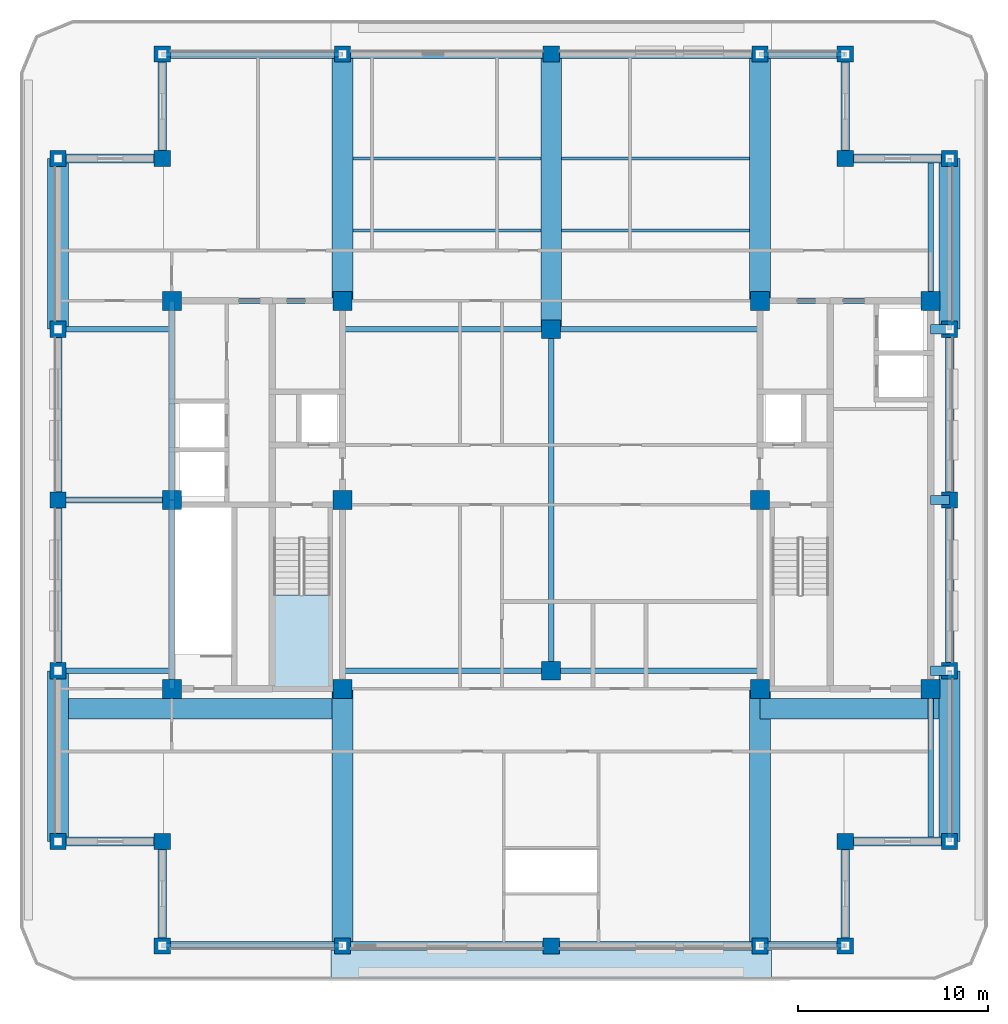
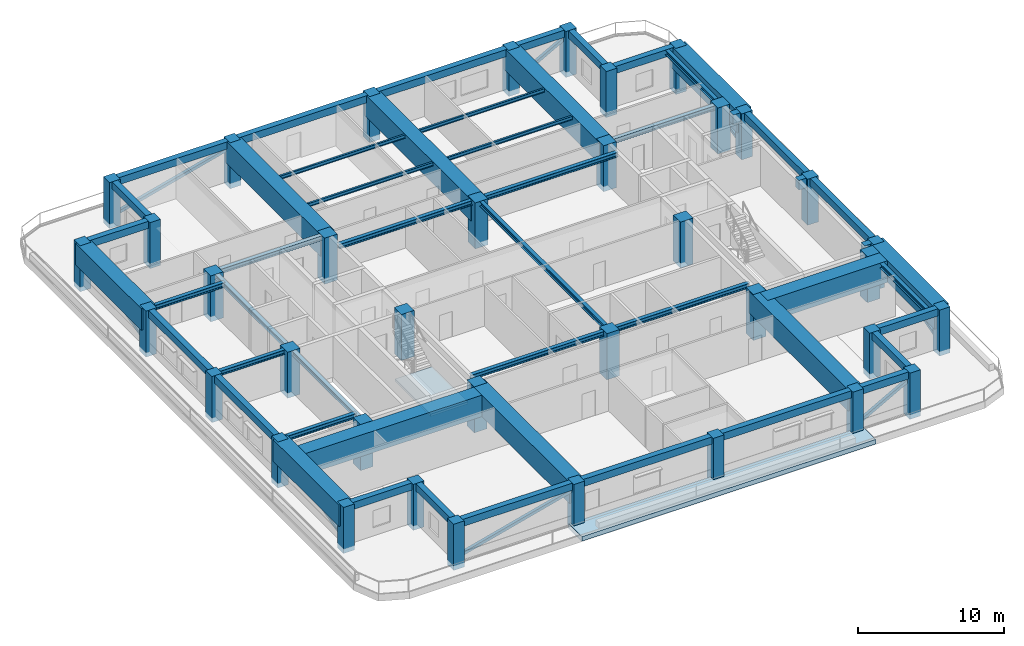
# One storey, part 1 of 11: 52 beams, 37 columns, 8 members, 2 slabs, 1 element without a shape of its own.
"""IFC4 building model written with IfcOpenShell, lengths in metres."""

from ifc_helpers import new_model, si_unit, direction, frame, origin, origin_2d, place, context, subcontext, project, spatial, polyline, rectangle, hollow_rectangle, i_section, outline, extrude, material, layer, layer_set, material_profile, profile_set, type_object, element, aggregate, save


model = new_model("IFC4")

# Units and contexts
model_context = context("Model", 3, precision=1e-05, world=origin(), true_north=direction((0.0, 1.0)))
body_context = subcontext(model_context, "Body", "Model", "MODEL_VIEW")
ifc_project = project(units=[si_unit("LENGTHUNIT", "METRE"), si_unit("AREAUNIT", "SQUARE_METRE"), si_unit("VOLUMEUNIT", "CUBIC_METRE"), si_unit("PLANEANGLEUNIT", "RADIAN"), si_unit("MASSUNIT", "GRAM", prefix="KILO")], contexts=[model_context])

# Site, building, storey
site_placement = place(None, origin())
site = spatial("IfcSite", under=ifc_project, at=site_placement, CompositionType="ELEMENT")
building_placement = place(site_placement, origin())
building = spatial("IfcBuilding", under=site, at=building_placement, Name="Zulmaris Gate Convention Tower", CompositionType="ELEMENT")
storey_placement = place(building_placement, frame((0.0, 0.0, 278.06005859375)))
storey = spatial("IfcBuildingStorey", under=building, at=storey_placement, Name="L74", CompositionType="ELEMENT", Elevation=278.06005859375)

# Columns
ifc_material_1 = material(Name="Concrete C60/75", Category="concrete")
ifc_material_profile_1 = material_profile(ifc_material_1, rectangle(XDim=1.0, YDim=1.0, at=origin_2d()), Name="RC COL 1000x1000")
ifc_profile_set_1 = profile_set([ifc_material_profile_1], Name="Concrete C60/75")
column_type_1 = type_object("IfcColumnType", Name="COL-RC1000", PredefinedType="COLUMN", material=ifc_profile_set_1)
for number, where, z_axis, x_axis, name in (
    (1, (-20.0, -9.949951171875, -0.425048828125), (0.0, 0.0, 1.0), (1.0, 0.0, 0.0), "L74 Column IN--20.00_-9.95"),
    (2, (-20.0, 10.5, -0.425048828125), (0.0, 0.0, 1.0), (1.0, 0.0, 0.0), "L74 Column IN--20.00_+10.50"),
    (3, (-11.0, -9.949951171875, -0.425048828125), (0.0, 0.0, 1.0), (1.0, 0.0, 0.0), "L74 Column IN--11.00_-9.95"),
    (4, (-11.0, 0.0, -0.425048828125), (0.0, 0.0, 1.0), (1.0, 0.0, 0.0), "L74 Column IN--11.00_+0.00"),
    (5, (-11.0, 10.5, -0.425048828125), (0.0, 0.0, 1.0), (1.0, 0.0, 0.0), "L74 Column IN--11.00_+10.50"),
    (6, (11.0, -9.949951171875, -0.425048828125), (0.0, 0.0, 1.0), (1.0, 0.0, 0.0), "L74 Column IN-+11.00_-9.95"),
    (7, (11.0, 0.0, -0.425048828125), (0.0, 0.0, 1.0), (1.0, 0.0, 0.0), "L74 Column IN-+11.00_+0.00"),
    (8, (11.0, 10.5, -0.425048828125), (0.0, 0.0, 1.0), (1.0, 0.0, 0.0), "L74 Column IN-+11.00_+10.50"),
    (9, (20.0, -9.949951171875, -0.425048828125), (0.0, 0.0, 1.0), (1.0, 0.0, 0.0), "L74 Column IN-+20.00_-9.95"),
    (10, (20.0, 10.5, -0.425048828125), (0.0, 0.0, 1.0), (1.0, 0.0, 0.0), "L74 Column IN-+20.00_+10.50"),
    (11, (0.0, -9.0, -0.425048828125), (0.0, 0.0, 1.0), (1.0, 0.0, 0.0), "L74 Column IN-+0.00_-9.00"),
    (12, (0.0, 9.0, -0.425048828125), (0.0, 0.0, 1.0), (1.0, 0.0, 0.0), "L74 Column IN-+0.00_+9.00"),
    (13, (-20.0, 0.0, -0.425048828125), (0.0, 0.0, 1.0), (1.0, 0.0, 0.0), "L74 Column IN--20.00_+0.00"),
):
    element("IfcColumn", number, at=place(storey_placement, frame(where, z_axis=z_axis, x_axis=x_axis)), inside=storey, type_object=column_type_1, Name=name, PredefinedType="COLUMN", context=body_context, shape_type="SweptSolid", body=[
        extrude(rectangle(XDim=1.0, YDim=1.0, at=origin_2d()), origin(), (0.0, 0.0, 1.0), 3.840087890625),
    ])
ifc_material_profile_2 = material_profile(ifc_material_1, rectangle(XDim=0.85009765625, YDim=0.85009765625, at=origin_2d()), Name="RC COL 850x850")
ifc_profile_set_2 = profile_set([ifc_material_profile_2], Name="Concrete C60/75")
column_type_2 = type_object("IfcColumnType", Name="COL-RC850", PredefinedType="COLUMN", material=ifc_profile_set_2)
for number, where, z_axis, x_axis, name in (
    (14, (-20.5, -23.5, -0.425048828125), (0.0, 0.0, 1.0), (1.0, 0.0, 0.0), "L74 Column PT--20.50_-23.50"),
    (15, (-11.0, -23.5, -0.425048828125), (0.0, 0.0, 1.0), (1.0, 0.0, 0.0), "L74 Column PT--11.00_-23.50"),
    (16, (0.0, -23.5, -0.425048828125), (0.0, 0.0, 1.0), (1.0, 0.0, 0.0), "L74 Column PT-+0.00_-23.50"),
    (17, (11.0, -23.5, -0.425048828125), (0.0, 0.0, 1.0), (1.0, 0.0, 0.0), "L74 Column PT-+11.00_-23.50"),
    (18, (15.5, -23.5, -0.425048828125), (0.0, 0.0, 1.0), (1.0, 0.0, 0.0), "L74 Column PT-+15.50_-23.50"),
    (19, (-20.5, 23.5, -0.425048828125), (0.0, 0.0, 1.0), (1.0, 0.0, 0.0), "L74 Column PT--20.50_+23.50"),
    (20, (-11.0, 23.5, -0.425048828125), (0.0, 0.0, 1.0), (1.0, 0.0, 0.0), "L74 Column PT--11.00_+23.50"),
    (21, (0.0, 23.5, -0.425048828125), (0.0, 0.0, 1.0), (1.0, 0.0, 0.0), "L74 Column PT-+0.00_+23.50"),
    (22, (11.0, 23.5, -0.425048828125), (0.0, 0.0, 1.0), (1.0, 0.0, 0.0), "L74 Column PT-+11.00_+23.50"),
    (23, (15.5, 23.5, -0.425048828125), (0.0, 0.0, 1.0), (1.0, 0.0, 0.0), "L74 Column PT-+15.50_+23.50"),
    (24, (-26.0, -18.0, -0.425048828125), (0.0, 0.0, 1.0), (1.0, 0.0, 0.0), "L74 Column PT--26.00_-18.00"),
    (25, (-26.0, -9.0, -0.425048828125), (0.0, 0.0, 1.0), (1.0, 0.0, 0.0), "L74 Column PT--26.00_-9.00"),
    (26, (-26.0, 0.0, -0.425048828125), (0.0, 0.0, 1.0), (1.0, 0.0, 0.0), "L74 Column PT--26.00_+0.00"),
    (27, (-26.0, 9.0, -0.425048828125), (0.0, 0.0, 1.0), (1.0, 0.0, 0.0), "L74 Column PT--26.00_+9.00"),
    (28, (-26.0, 18.0, -0.425048828125), (0.0, 0.0, 1.0), (1.0, 0.0, 0.0), "L74 Column PT--26.00_+18.00"),
    (29, (21.0, -18.0, -0.425048828125), (0.0, 0.0, 1.0), (1.0, 0.0, 0.0), "L74 Column PT-+21.00_-18.00"),
    (30, (21.0, -9.0, -0.425048828125), (0.0, 0.0, 1.0), (1.0, 0.0, 0.0), "L74 Column PT-+21.00_-9.00"),
    (31, (21.0, 0.0, -0.425048828125), (0.0, 0.0, 1.0), (1.0, 0.0, 0.0), "L74 Column PT-+21.00_+0.00"),
    (32, (21.0, 9.0, -0.425048828125), (0.0, 0.0, 1.0), (1.0, 0.0, 0.0), "L74 Column PT-+21.00_+9.00"),
    (33, (21.0, 18.0, -0.425048828125), (0.0, 0.0, 1.0), (1.0, 0.0, 0.0), "L74 Column PT-+21.00_+18.00"),
    (34, (-20.5, -18.0, -0.425048828125), (0.0, 0.0, 1.0), (1.0, 0.0, 0.0), "L74 Column PT--20.50_-18.00"),
    (35, (15.5, -18.0, -0.425048828125), (0.0, 0.0, 1.0), (1.0, 0.0, 0.0), "L74 Column PT-+15.50_-18.00"),
    (36, (15.5, 18.0, -0.425048828125), (0.0, 0.0, 1.0), (1.0, 0.0, 0.0), "L74 Column PT-+15.50_+18.00"),
    (37, (-20.5, 18.0, -0.425048828125), (0.0, 0.0, 1.0), (1.0, 0.0, 0.0), "L74 Column PT--20.50_+18.00"),
):
    element("IfcColumn", number, at=place(storey_placement, frame(where, z_axis=z_axis, x_axis=x_axis)), inside=storey, type_object=column_type_2, Name=name, PredefinedType="COLUMN", context=body_context, shape_type="SweptSolid", body=[
        extrude(rectangle(XDim=0.85009765625, YDim=0.85009765625, at=origin_2d()), origin(), (0.0, 0.0, 1.0), 3.840087890625),
    ])

# Beams
ifc_material_2 = material(Name="Steel S355", Category="steel")
ifc_material_profile_3 = material_profile(ifc_material_2, i_section(OverallWidth=0.300048828125, OverallDepth=0.39990234375, WebThickness=0.013427734375, FlangeThickness=0.02392578125, FilletRadius=0.027099609375, at=origin_2d()), Name="HEB 400")
ifc_profile_set_3 = profile_set([ifc_material_profile_3], Name="Steel S355")
beam_type_1 = type_object("IfcBeamType", Name="BM-HEB400", PredefinedType="BEAM", material=ifc_profile_set_3)
for number, where, z_axis, x_axis, name in (
    (38, (-11.0, -9.0, 3.212890625), (1.0, 0.0, 0.0), (0.0, 1.0, 0.0), "L74 Beam BM-L74-G01"),
    (39, (0.0, -9.0, 3.212890625), (1.0, 0.0, 0.0), (0.0, 1.0, 0.0), "L74 Beam BM-L74-G02"),
    (40, (-11.0, 9.0, 3.212890625), (1.0, 0.0, 0.0), (0.0, 1.0, 0.0), "L74 Beam BM-L74-G03"),
    (41, (0.0, 9.0, 3.212890625), (1.0, 0.0, 0.0), (0.0, 1.0, 0.0), "L74 Beam BM-L74-G04"),
):
    element("IfcBeam", number, at=place(storey_placement, frame(where, z_axis=z_axis, x_axis=x_axis)), inside=storey, type_object=beam_type_1, Name=name, PredefinedType="BEAM", context=body_context, shape_type="SweptSolid", body=[
        extrude(i_section(OverallWidth=0.300048828125, OverallDepth=0.39990234375, WebThickness=0.013427734375, FlangeThickness=0.02392578125, FilletRadius=0.027099609375, at=origin_2d()), origin(), (0.0, 0.0, 1.0), 11.0),
    ])
beam_1_placement = place(storey_placement, frame((0.0, -9.0, 3.212890625), z_axis=(0.0, 1.0, 0.0), x_axis=(-1.0, 0.0, 0.0)))
element("IfcBeam", 42, at=beam_1_placement, inside=storey, type_object=beam_type_1, Name="L74 Beam BM-L74-G06", PredefinedType="BEAM", context=body_context, shape_type="SweptSolid", body=[
    extrude(i_section(OverallWidth=0.300048828125, OverallDepth=0.39990234375, WebThickness=0.013427734375, FlangeThickness=0.02392578125, FilletRadius=0.027099609375, at=origin_2d()), origin(), (0.0, 0.0, 1.0), 18.0),
])
beam_2_placement = place(storey_placement, frame((20.0, -18.0, 3.212890625), z_axis=(0.0, 1.0, 0.0), x_axis=(-1.0, 0.0, 0.0)))
element("IfcBeam", 43, at=beam_2_placement, inside=storey, type_object=beam_type_1, Name="L74 Beam BM-L74-G14", PredefinedType="BEAM", context=body_context, shape_type="SweptSolid", body=[
    extrude(i_section(OverallWidth=0.300048828125, OverallDepth=0.39990234375, WebThickness=0.013427734375, FlangeThickness=0.02392578125, FilletRadius=0.027099609375, at=origin_2d()), origin(), (0.0, 0.0, 1.0), 8.050048828125),
])
beam_3_placement = place(storey_placement, frame((20.0, 10.5, 3.212890625), z_axis=(0.0, 1.0, 0.0), x_axis=(-1.0, 0.0, 0.0)))
element("IfcBeam", 44, at=beam_3_placement, inside=storey, type_object=beam_type_1, Name="L74 Beam BM-L74-G15", PredefinedType="BEAM", context=body_context, shape_type="SweptSolid", body=[
    extrude(i_section(OverallWidth=0.300048828125, OverallDepth=0.39990234375, WebThickness=0.013427734375, FlangeThickness=0.02392578125, FilletRadius=0.027099609375, at=origin_2d()), origin(), (0.0, 0.0, 1.0), 7.5),
])
for number, where, z_axis, x_axis, name in (
    (45, (-26.0, -9.0, 3.212890625), (1.0, 0.0, 0.0), (0.0, 1.0, 0.0), "L74 Beam BM-L74-G16"),
    (46, (-26.0, 0.0, 3.212890625), (1.0, 0.0, 0.0), (0.0, 1.0, 0.0), "L74 Beam BM-L74-G17"),
    (47, (-26.0, 9.0, 3.212890625), (1.0, 0.0, 0.0), (0.0, 1.0, 0.0), "L74 Beam BM-L74-G18"),
):
    element("IfcBeam", number, at=place(storey_placement, frame(where, z_axis=z_axis, x_axis=x_axis)), inside=storey, type_object=beam_type_1, Name=name, PredefinedType="BEAM", context=body_context, shape_type="SweptSolid", body=[
        extrude(i_section(OverallWidth=0.300048828125, OverallDepth=0.39990234375, WebThickness=0.013427734375, FlangeThickness=0.02392578125, FilletRadius=0.027099609375, at=origin_2d()), origin(), (0.0, 0.0, 1.0), 6.0),
    ])
for number, where, z_axis, x_axis, name in (
    (48, (-20.0, 10.5, 3.212890625), (1.0, 0.0, 0.0), (0.0, 1.0, 0.0), "L74 Beam BM-L74-G23"),
    (49, (11.0, 10.5, 3.212890625), (1.0, 0.0, 0.0), (0.0, 1.0, 0.0), "L74 Beam BM-L74-G25"),
):
    element("IfcBeam", number, at=place(storey_placement, frame(where, z_axis=z_axis, x_axis=x_axis)), inside=storey, type_object=beam_type_1, Name=name, PredefinedType="BEAM", context=body_context, shape_type="SweptSolid", body=[
        extrude(i_section(OverallWidth=0.300048828125, OverallDepth=0.39990234375, WebThickness=0.013427734375, FlangeThickness=0.02392578125, FilletRadius=0.027099609375, at=origin_2d()), origin(), (0.0, 0.0, 1.0), 9.0),
    ])
beam_4_placement = place(storey_placement, frame((-20.0, -9.949951171875, 3.212890625), z_axis=(0.0, 1.0, 0.0), x_axis=(-1.0, 0.0, 0.0)))
element("IfcBeam", 50, at=beam_4_placement, inside=storey, type_object=beam_type_1, Name="L74 Beam BM-L74-G26", PredefinedType="BEAM", context=body_context, shape_type="SweptSolid", body=[
    extrude(i_section(OverallWidth=0.300048828125, OverallDepth=0.39990234375, WebThickness=0.013427734375, FlangeThickness=0.02392578125, FilletRadius=0.027099609375, at=origin_2d()), origin(), (0.0, 0.0, 1.0), 9.949951171875),
])
beam_5_placement = place(storey_placement, frame((-20.0, 0.0, 3.212890625), z_axis=(0.0, 1.0, 0.0), x_axis=(-1.0, 0.0, 0.0)))
element("IfcBeam", 51, at=beam_5_placement, inside=storey, type_object=beam_type_1, Name="L74 Beam BM-L74-G27", PredefinedType="BEAM", context=body_context, shape_type="SweptSolid", body=[
    extrude(i_section(OverallWidth=0.300048828125, OverallDepth=0.39990234375, WebThickness=0.013427734375, FlangeThickness=0.02392578125, FilletRadius=0.027099609375, at=origin_2d()), origin(), (0.0, 0.0, 1.0), 10.5),
])
ifc_material_3 = material(Name="Concrete C50/60", Category="concrete")
ifc_material_profile_4 = material_profile(ifc_material_3, rectangle(XDim=0.5, YDim=0.800048828125, at=origin_2d()), Name="RC BEAM 500x800")
ifc_profile_set_4 = profile_set([ifc_material_profile_4], Name="Concrete C50/60")
beam_type_2 = type_object("IfcBeamType", Name="BM-RC500x800", PredefinedType="BEAM", material=ifc_profile_set_4)
for number, where, z_axis, x_axis, name in (
    (52, (20.0, -9.0, 3.014892578125), (1.0, 0.0, 0.0), (0.0, 1.0, 0.0), "L74 Beam BM-L74-G19"),
    (53, (20.0, 0.0, 3.014892578125), (1.0, 0.0, 0.0), (0.0, 1.0, 0.0), "L74 Beam BM-L74-G20"),
    (54, (20.0, 9.0, 3.014892578125), (1.0, 0.0, 0.0), (0.0, 1.0, 0.0), "L74 Beam BM-L74-G21"),
):
    element("IfcBeam", number, at=place(storey_placement, frame(where, z_axis=z_axis, x_axis=x_axis)), inside=storey, type_object=beam_type_2, Name=name, PredefinedType="BEAM", context=body_context, shape_type="SweptSolid", body=[
        extrude(rectangle(XDim=0.5, YDim=0.800048828125, at=origin_2d()), origin(), (0.0, 0.0, 1.0), 1.0),
    ])
ifc_material_4 = material(Name="Precast concrete C50/60", Category="concrete")
ifc_material_profile_5 = material_profile(ifc_material_4, rectangle(XDim=0.449951171875, YDim=0.60009765625, at=origin_2d()), Name="RC SPANDREL 450x600")
ifc_profile_set_5 = profile_set([ifc_material_profile_5], Name="Precast concrete C50/60")
beam_type_3 = type_object("IfcBeamType", Name="BM-SP450x600", PredefinedType="SPANDREL", material=ifc_profile_set_5)
beam_6_placement = place(storey_placement, frame((-20.5, -23.5, 3.114990234375), z_axis=(1.0, 0.0, 0.0), x_axis=(0.0, 1.0, 0.0)))
element("IfcBeam", 55, at=beam_6_placement, inside=storey, type_object=beam_type_3, Name="L74 Spandrel SP-L74-01", PredefinedType="SPANDREL", context=body_context, shape_type="SweptSolid", body=[
    extrude(rectangle(XDim=0.449951171875, YDim=0.60009765625, at=origin_2d()), origin(), (0.0, 0.0, 1.0), 9.5),
])
for number, where, z_axis, x_axis, name in (
    (56, (-11.0, -23.5, 3.114990234375), (1.0, 0.0, 0.0), (0.0, 1.0, 0.0), "L74 Spandrel SP-L74-02"),
    (57, (0.0, -23.5, 3.114990234375), (1.0, 0.0, 0.0), (0.0, 1.0, 0.0), "L74 Spandrel SP-L74-03"),
):
    element("IfcBeam", number, at=place(storey_placement, frame(where, z_axis=z_axis, x_axis=x_axis)), inside=storey, type_object=beam_type_3, Name=name, PredefinedType="SPANDREL", context=body_context, shape_type="SweptSolid", body=[
        extrude(rectangle(XDim=0.449951171875, YDim=0.60009765625, at=origin_2d()), origin(), (0.0, 0.0, 1.0), 11.0),
    ])
beam_7_placement = place(storey_placement, frame((11.0, -23.5, 3.114990234375), z_axis=(1.0, 0.0, 0.0), x_axis=(0.0, 1.0, 0.0)))
element("IfcBeam", 58, at=beam_7_placement, inside=storey, type_object=beam_type_3, Name="L74 Spandrel SP-L74-04", PredefinedType="SPANDREL", context=body_context, shape_type="SweptSolid", body=[
    extrude(rectangle(XDim=0.449951171875, YDim=0.60009765625, at=origin_2d()), origin(), (0.0, 0.0, 1.0), 4.5),
])
for number, where, z_axis, x_axis, name in (
    (59, (15.5, -23.5, 3.114990234375), (0.0, 1.0, 0.0), (-1.0, 0.0, 0.0), "L74 Spandrel SP-L74-05"),
    (60, (15.5, -18.0, 3.114990234375), (1.0, 0.0, 0.0), (0.0, 1.0, 0.0), "L74 Spandrel SP-L74-06"),
):
    element("IfcBeam", number, at=place(storey_placement, frame(where, z_axis=z_axis, x_axis=x_axis)), inside=storey, type_object=beam_type_3, Name=name, PredefinedType="SPANDREL", context=body_context, shape_type="SweptSolid", body=[
        extrude(rectangle(XDim=0.449951171875, YDim=0.60009765625, at=origin_2d()), origin(), (0.0, 0.0, 1.0), 5.5),
    ])
for number, where, z_axis, x_axis, name in (
    (61, (21.0, -9.0, 3.114990234375), (0.0, 1.0, 0.0), (-1.0, 0.0, 0.0), "L74 Spandrel SP-L74-08"),
    (62, (21.0, 0.0, 3.114990234375), (0.0, 1.0, 0.0), (-1.0, 0.0, 0.0), "L74 Spandrel SP-L74-09"),
):
    element("IfcBeam", number, at=place(storey_placement, frame(where, z_axis=z_axis, x_axis=x_axis)), inside=storey, type_object=beam_type_3, Name=name, PredefinedType="SPANDREL", context=body_context, shape_type="SweptSolid", body=[
        extrude(rectangle(XDim=0.449951171875, YDim=0.60009765625, at=origin_2d()), origin(), (0.0, 0.0, 1.0), 9.0),
    ])
for number, where, z_axis, x_axis, name in (
    (63, (21.0, 18.0, 3.114990234375), (-1.0, 0.0, 0.0), (0.0, -1.0, 0.0), "L74 Spandrel SP-L74-11"),
    (64, (15.5, 18.0, 3.114990234375), (0.0, 1.0, 0.0), (-1.0, 0.0, 0.0), "L74 Spandrel SP-L74-12"),
):
    element("IfcBeam", number, at=place(storey_placement, frame(where, z_axis=z_axis, x_axis=x_axis)), inside=storey, type_object=beam_type_3, Name=name, PredefinedType="SPANDREL", context=body_context, shape_type="SweptSolid", body=[
        extrude(rectangle(XDim=0.449951171875, YDim=0.60009765625, at=origin_2d()), origin(), (0.0, 0.0, 1.0), 5.5),
    ])
beam_8_placement = place(storey_placement, frame((15.5, 23.5, 3.114990234375), z_axis=(-1.0, 0.0, 0.0), x_axis=(0.0, -1.0, 0.0)))
element("IfcBeam", 65, at=beam_8_placement, inside=storey, type_object=beam_type_3, Name="L74 Spandrel SP-L74-13", PredefinedType="SPANDREL", context=body_context, shape_type="SweptSolid", body=[
    extrude(rectangle(XDim=0.449951171875, YDim=0.60009765625, at=origin_2d()), origin(), (0.0, 0.0, 1.0), 4.5),
])
for number, where, z_axis, x_axis, name in (
    (66, (11.0, 23.5, 3.114990234375), (-1.0, 0.0, 0.0), (0.0, -1.0, 0.0), "L74 Spandrel SP-L74-14"),
    (67, (0.0, 23.5, 3.114990234375), (-1.0, 0.0, 0.0), (0.0, -1.0, 0.0), "L74 Spandrel SP-L74-15"),
):
    element("IfcBeam", number, at=place(storey_placement, frame(where, z_axis=z_axis, x_axis=x_axis)), inside=storey, type_object=beam_type_3, Name=name, PredefinedType="SPANDREL", context=body_context, shape_type="SweptSolid", body=[
        extrude(rectangle(XDim=0.449951171875, YDim=0.60009765625, at=origin_2d()), origin(), (0.0, 0.0, 1.0), 11.0),
    ])
beam_9_placement = place(storey_placement, frame((-11.0, 23.5, 3.114990234375), z_axis=(-1.0, 0.0, 0.0), x_axis=(0.0, -1.0, 0.0)))
element("IfcBeam", 68, at=beam_9_placement, inside=storey, type_object=beam_type_3, Name="L74 Spandrel SP-L74-16", PredefinedType="SPANDREL", context=body_context, shape_type="SweptSolid", body=[
    extrude(rectangle(XDim=0.449951171875, YDim=0.60009765625, at=origin_2d()), origin(), (0.0, 0.0, 1.0), 9.5),
])
for number, where, z_axis, x_axis, name in (
    (69, (-20.5, 23.5, 3.114990234375), (0.0, -1.0, 0.0), (1.0, 0.0, 0.0), "L74 Spandrel SP-L74-17"),
    (70, (-20.5, 18.0, 3.114990234375), (-1.0, 0.0, 0.0), (0.0, -1.0, 0.0), "L74 Spandrel SP-L74-18"),
):
    element("IfcBeam", number, at=place(storey_placement, frame(where, z_axis=z_axis, x_axis=x_axis)), inside=storey, type_object=beam_type_3, Name=name, PredefinedType="SPANDREL", context=body_context, shape_type="SweptSolid", body=[
        extrude(rectangle(XDim=0.449951171875, YDim=0.60009765625, at=origin_2d()), origin(), (0.0, 0.0, 1.0), 5.5),
    ])
for number, where, z_axis, x_axis, name in (
    (71, (-26.0, 9.0, 3.114990234375), (0.0, -1.0, 0.0), (1.0, 0.0, 0.0), "L74 Spandrel SP-L74-20"),
    (72, (-26.0, 0.0, 3.114990234375), (0.0, -1.0, 0.0), (1.0, 0.0, 0.0), "L74 Spandrel SP-L74-21"),
):
    element("IfcBeam", number, at=place(storey_placement, frame(where, z_axis=z_axis, x_axis=x_axis)), inside=storey, type_object=beam_type_3, Name=name, PredefinedType="SPANDREL", context=body_context, shape_type="SweptSolid", body=[
        extrude(rectangle(XDim=0.449951171875, YDim=0.60009765625, at=origin_2d()), origin(), (0.0, 0.0, 1.0), 9.0),
    ])
for number, where, z_axis, x_axis, name in (
    (73, (-26.0, -18.0, 3.114990234375), (1.0, 0.0, 0.0), (0.0, 1.0, 0.0), "L74 Spandrel SP-L74-23"),
    (74, (-20.5, -18.0, 3.114990234375), (0.0, -1.0, 0.0), (1.0, 0.0, 0.0), "L74 Spandrel SP-L74-24"),
):
    element("IfcBeam", number, at=place(storey_placement, frame(where, z_axis=z_axis, x_axis=x_axis)), inside=storey, type_object=beam_type_3, Name=name, PredefinedType="SPANDREL", context=body_context, shape_type="SweptSolid", body=[
        extrude(rectangle(XDim=0.449951171875, YDim=0.60009765625, at=origin_2d()), origin(), (0.0, 0.0, 1.0), 5.5),
    ])
ifc_material_5 = material(Name="Concrete C80/95", Category="concrete")
ifc_material_profile_6 = material_profile(ifc_material_5, rectangle(XDim=1.10009765625, YDim=1.800048828125, at=origin_2d()), Name="RC TRANSFER 1100x1800")
ifc_profile_set_6 = profile_set([ifc_material_profile_6], Name="Concrete C80/95")
beam_type_4 = type_object("IfcBeamType", Name="BM-XFER1800", PredefinedType="BEAM", material=ifc_profile_set_6)
beam_10_placement = place(storey_placement, frame((-11.0, -23.5, 2.514892578125), z_axis=(0.0, 1.0, 0.0), x_axis=(-1.0, 0.0, 0.0)))
element("IfcBeam", 75, at=beam_10_placement, inside=storey, type_object=beam_type_4, Name="L74 Beam XFSPY-L74--11.0--23.5", PredefinedType="BEAM", context=body_context, shape_type="SweptSolid", body=[
    extrude(rectangle(XDim=1.10009765625, YDim=1.800048828125, at=origin_2d()), origin(), (0.0, 0.0, 1.0), 13.550048828125),
])
beam_11_placement = place(storey_placement, frame((-11.0, 10.5, 2.514892578125), z_axis=(0.0, 1.0, 0.0), x_axis=(-1.0, 0.0, 0.0)))
element("IfcBeam", 76, at=beam_11_placement, inside=storey, type_object=beam_type_4, Name="L74 Beam XFSPY-L74--11.0-+10.5", PredefinedType="BEAM", context=body_context, shape_type="SweptSolid", body=[
    extrude(rectangle(XDim=1.10009765625, YDim=1.800048828125, at=origin_2d()), origin(), (0.0, 0.0, 1.0), 13.0),
])
beam_12_placement = place(storey_placement, frame((0.0, 9.0, 2.514892578125), z_axis=(0.0, 1.0, 0.0), x_axis=(-1.0, 0.0, 0.0)))
element("IfcBeam", 77, at=beam_12_placement, inside=storey, type_object=beam_type_4, Name="L74 Beam XFSPY-L74-+0.0-+9.0", PredefinedType="BEAM", context=body_context, shape_type="SweptSolid", body=[
    extrude(rectangle(XDim=1.10009765625, YDim=1.800048828125, at=origin_2d()), origin(), (0.0, 0.0, 1.0), 14.5),
])
beam_13_placement = place(storey_placement, frame((11.0, -23.5, 2.514892578125), z_axis=(0.0, 1.0, 0.0), x_axis=(-1.0, 0.0, 0.0)))
element("IfcBeam", 78, at=beam_13_placement, inside=storey, type_object=beam_type_4, Name="L74 Beam XFSPY-L74-+11.0--23.5", PredefinedType="BEAM", context=body_context, shape_type="SweptSolid", body=[
    extrude(rectangle(XDim=1.10009765625, YDim=1.800048828125, at=origin_2d()), origin(), (0.0, 0.0, 1.0), 13.550048828125),
])
beam_14_placement = place(storey_placement, frame((11.0, 10.5, 2.514892578125), z_axis=(0.0, 1.0, 0.0), x_axis=(-1.0, 0.0, 0.0)))
element("IfcBeam", 79, at=beam_14_placement, inside=storey, type_object=beam_type_4, Name="L74 Beam XFSPY-L74-+11.0-+10.5", PredefinedType="BEAM", context=body_context, shape_type="SweptSolid", body=[
    extrude(rectangle(XDim=1.10009765625, YDim=1.800048828125, at=origin_2d()), origin(), (0.0, 0.0, 1.0), 13.0),
])
for number, where, z_axis, x_axis, name in (
    (80, (-26.0, -18.0, 2.514892578125), (0.0, 1.0, 0.0), (-1.0, 0.0, 0.0), "L74 Beam XFTIE-L74--26.0-S"),
    (81, (-26.0, 9.0, 2.514892578125), (0.0, 1.0, 0.0), (-1.0, 0.0, 0.0), "L74 Beam XFTIE-L74--26.0-N"),
    (82, (21.0, -18.0, 2.514892578125), (0.0, 1.0, 0.0), (-1.0, 0.0, 0.0), "L74 Beam XFTIE-L74-+21.0-S"),
    (83, (21.0, 9.0, 2.514892578125), (0.0, 1.0, 0.0), (-1.0, 0.0, 0.0), "L74 Beam XFTIE-L74-+21.0-N"),
):
    element("IfcBeam", number, at=place(storey_placement, frame(where, z_axis=z_axis, x_axis=x_axis)), inside=storey, type_object=beam_type_4, Name=name, PredefinedType="BEAM", context=body_context, shape_type="SweptSolid", body=[
        extrude(rectangle(XDim=1.10009765625, YDim=1.800048828125, at=origin_2d()), origin(), (0.0, 0.0, 1.0), 9.0),
    ])
beam_15_placement = place(storey_placement, frame((-26.0, -11.0, 2.514892578125), z_axis=(1.0, 0.0, 0.0), x_axis=(0.0, 1.0, 0.0)))
element("IfcBeam", 84, at=beam_15_placement, inside=storey, type_object=beam_type_4, Name="L74 Beam XFSPX-L74--11.0-W", PredefinedType="BEAM", context=body_context, shape_type="SweptSolid", body=[
    extrude(rectangle(XDim=1.10009765625, YDim=1.800048828125, at=origin_2d()), origin(), (0.0, 0.0, 1.0), 15.0),
])
beam_16_placement = place(storey_placement, frame((11.0, -11.0, 2.514892578125), z_axis=(1.0, 0.0, 0.0), x_axis=(0.0, 1.0, 0.0)))
element("IfcBeam", 85, at=beam_16_placement, inside=storey, type_object=beam_type_4, Name="L74 Beam XFSPX-L74--11.0-E", PredefinedType="BEAM", context=body_context, shape_type="SweptSolid", body=[
    extrude(rectangle(XDim=1.10009765625, YDim=1.800048828125, at=origin_2d()), origin(), (0.0, 0.0, 1.0), 10.0),
])

# Members
ifc_material_profile_7 = material_profile(ifc_material_2, hollow_rectangle(XDim=0.25, YDim=0.25, WallThickness=0.012451171875, at=origin_2d()), Name="SHS 250x250x12.5")
ifc_profile_set_7 = profile_set([ifc_material_profile_7], Name="Steel S355")
member_type = type_object("IfcMemberType", Name="BR-SHS250", PredefinedType="BRACE", material=ifc_profile_set_7)
for number, where, z_axis, x_axis, name in (
    (86, (-26.0, -18.0, 0.300048828125), (0.0, 0.963659340358, 0.267134190514), (-1.0, 0.0, 0.0), "L74 Perimeter Tube Diagonal SW-W"),
    (87, (-26.0, 9.0, 0.300048828125), (0.0, 0.963659340358, 0.267134190514), (-1.0, 0.0, 0.0), "L74 Perimeter Tube Diagonal NW-W"),
    (88, (21.0, -18.0, 0.300048828125), (0.0, 0.963659340358, 0.267134190514), (-1.0, 0.0, 0.0), "L74 Perimeter Tube Diagonal SE-E"),
    (89, (21.0, 9.0, 0.300048828125), (0.0, 0.963659340358, 0.267134190514), (-1.0, 0.0, 0.0), "L74 Perimeter Tube Diagonal NE-E"),
):
    element("IfcMember", number, at=place(storey_placement, frame(where, z_axis=z_axis, x_axis=x_axis)), inside=storey, type_object=member_type, Name=name, PredefinedType="BRACE", context=body_context, shape_type="SweptSolid", body=[
        extrude(hollow_rectangle(XDim=0.25, YDim=0.25, WallThickness=0.012451171875, at=origin_2d()), origin(), (0.0, 0.0, 1.0), 9.33935546875),
    ])
member_1_placement = place(storey_placement, frame((-20.5, -23.5, 0.300048828125), z_axis=(0.96720288047, 0.0, 0.254005094457), x_axis=(0.0, 1.0, 0.0)))
element("IfcMember", 90, at=member_1_placement, inside=storey, type_object=member_type, Name="L74 Perimeter Tube Diagonal SW-S", PredefinedType="BRACE", context=body_context, shape_type="SweptSolid", body=[
    extrude(hollow_rectangle(XDim=0.25, YDim=0.25, WallThickness=0.012451171875, at=origin_2d()), origin(), (0.0, 0.0, 1.0), 9.822021484375),
])
member_2_placement = place(storey_placement, frame((11.0, -23.5, 0.300048828125), z_axis=(0.874579956814, 0.0, 0.484881324799), x_axis=(0.0, 1.0, 0.0)))
element("IfcMember", 91, at=member_2_placement, inside=storey, type_object=member_type, Name="L74 Perimeter Tube Diagonal SE-S", PredefinedType="BRACE", context=body_context, shape_type="SweptSolid", body=[
    extrude(hollow_rectangle(XDim=0.25, YDim=0.25, WallThickness=0.012451171875, at=origin_2d()), origin(), (0.0, 0.0, 1.0), 5.145263671875),
])
member_3_placement = place(storey_placement, frame((-20.5, 23.5, 0.300048828125), z_axis=(0.96720288047, 0.0, 0.254005094457), x_axis=(0.0, 1.0, 0.0)))
element("IfcMember", 92, at=member_3_placement, inside=storey, type_object=member_type, Name="L74 Perimeter Tube Diagonal NW-N", PredefinedType="BRACE", context=body_context, shape_type="SweptSolid", body=[
    extrude(hollow_rectangle(XDim=0.25, YDim=0.25, WallThickness=0.012451171875, at=origin_2d()), origin(), (0.0, 0.0, 1.0), 9.822021484375),
])
member_4_placement = place(storey_placement, frame((11.0, 23.5, 0.300048828125), z_axis=(0.874579956814, 0.0, 0.484881324799), x_axis=(0.0, 1.0, 0.0)))
element("IfcMember", 93, at=member_4_placement, inside=storey, type_object=member_type, Name="L74 Perimeter Tube Diagonal NE-N", PredefinedType="BRACE", context=body_context, shape_type="SweptSolid", body=[
    extrude(hollow_rectangle(XDim=0.25, YDim=0.25, WallThickness=0.012451171875, at=origin_2d()), origin(), (0.0, 0.0, 1.0), 5.145263671875),
])

# Beams
ifc_material_profile_8 = material_profile(ifc_material_2, i_section(OverallWidth=0.14990234375, OverallDepth=0.300048828125, WebThickness=0.007080078125, FlangeThickness=0.0107421875, FilletRadius=0.014892578125, at=origin_2d()), Name="IPE 300")
ifc_profile_set_8 = profile_set([ifc_material_profile_8], Name="Steel S355")
beam_type_5 = type_object("IfcBeamType", Name="JT-IPE300", PredefinedType="JOIST", material=ifc_profile_set_8)
for number, where, z_axis, x_axis, name in (
    (94, (-10.449951171875, 14.199951171875, 3.262939453125), (1.0, 0.0, 0.0), (0.0, 1.0, 0.0), "L74 Joist JT-L74-CW-+14.2"),
    (95, (0.550048828125, 14.199951171875, 3.262939453125), (1.0, 0.0, 0.0), (0.0, 1.0, 0.0), "L74 Joist JT-L74-CE-+14.2"),
    (96, (-10.449951171875, 18.0, 3.262939453125), (1.0, 0.0, 0.0), (0.0, 1.0, 0.0), "L74 Joist JT-L74-CW-+18.0"),
    (97, (0.550048828125, 18.0, 3.262939453125), (1.0, 0.0, 0.0), (0.0, 1.0, 0.0), "L74 Joist JT-L74-CE-+18.0"),
):
    element("IfcBeam", number, at=place(storey_placement, frame(where, z_axis=z_axis, x_axis=x_axis)), inside=storey, type_object=beam_type_5, Name=name, PredefinedType="JOIST", context=body_context, shape_type="SweptSolid", body=[
        extrude(i_section(OverallWidth=0.14990234375, OverallDepth=0.300048828125, WebThickness=0.007080078125, FlangeThickness=0.0107421875, FilletRadius=0.014892578125, at=origin_2d()), origin(), (0.0, 0.0, 1.0), 9.89990234375),
    ])

# Slab
ifc_layer_1 = layer(ifc_material_4, 0.260009765625, Name="Precast concrete C50/60")
ifc_layer_set_1 = layer_set([ifc_layer_1], Name="Precast concrete C50/60")
slab_type_1 = type_object("IfcSlabType", Name="SL-BAL-260", PredefinedType="FLOOR", material=ifc_layer_set_1)
slab_1_placement = place(storey_placement, frame((0.0, 0.0, -0.425048828125)))
element("IfcSlab", 98, at=slab_1_placement, inside=storey, type_object=slab_type_1, Name="L74 South Tree-Balcony Planter Slab", PredefinedType="FLOOR", context=body_context, shape_type="SweptSolid", body=[
    extrude(outline(polyline([(-11.597900390625, -25.300048828125), (-11.597900390625, -23.5), (11.597900390625, -23.5), (11.597900390625, -25.300048828125), (-11.597900390625, -25.300048828125)])), origin(), (0.0, 0.0, 1.0), 0.385009765625),
])

# Stair, slab
ifc_material_6 = material(Name="Concrete C45/55", Category="concrete")
stair_type = type_object("IfcStairType", Name="ST-CORE-DOGLEG", PredefinedType="HALF_TURN_STAIR", material=ifc_material_6)
stair_placement = place(storey_placement, origin())
stair = element("IfcStair", 99, at=stair_placement, inside=storey, type_object=stair_type, Name="L74 Core Exit Stair ST-1", PredefinedType="HALF_TURN_STAIR")
ifc_layer_2 = layer(ifc_material_6, 0.199951171875, Name="Concrete C45/55")
ifc_layer_set_2 = layer_set([ifc_layer_2], Name="Concrete C45/55")
slab_type_2 = type_object("IfcSlabType", Name="SL-LND-200", PredefinedType="LANDING", material=ifc_layer_set_2)
slab_2_placement = place(storey_placement, frame((0.0, 0.0, 1.669921875)))
slab_2 = element("IfcSlab", 100, at=slab_2_placement, type_object=slab_type_2, Name="ST-1 landing 1", PredefinedType="LANDING", context=body_context, shape_type="SweptSolid", body=[
    extrude(outline(polyline([(-14.6201171875, -5.0), (-14.6201171875, -9.85009765625), (-11.659912109375, -9.85009765625), (-11.659912109375, -5.0), (-14.6201171875, -5.0)])), origin(), (0.0, 0.0, 1.0), 0.199951171875),
])
aggregate(stair, [slab_2])

save(model, "model.ifc")
